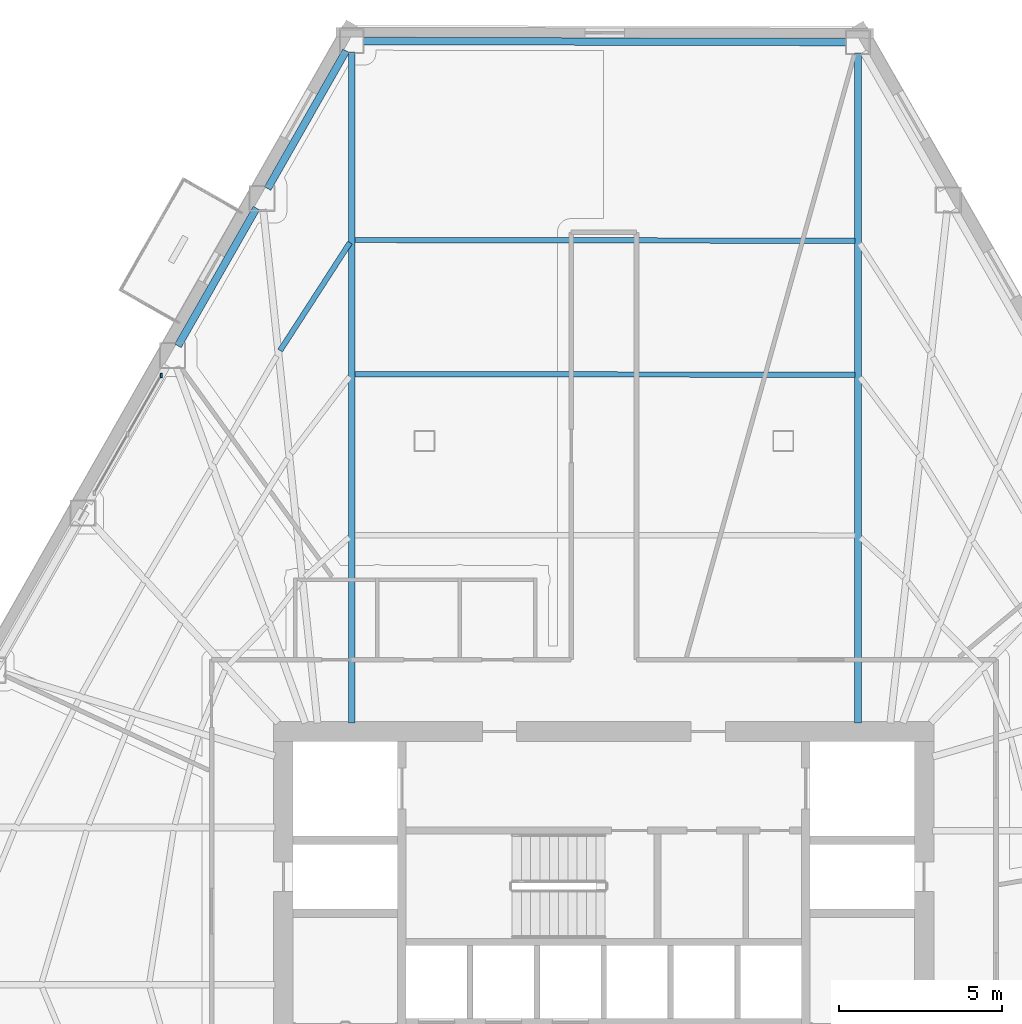
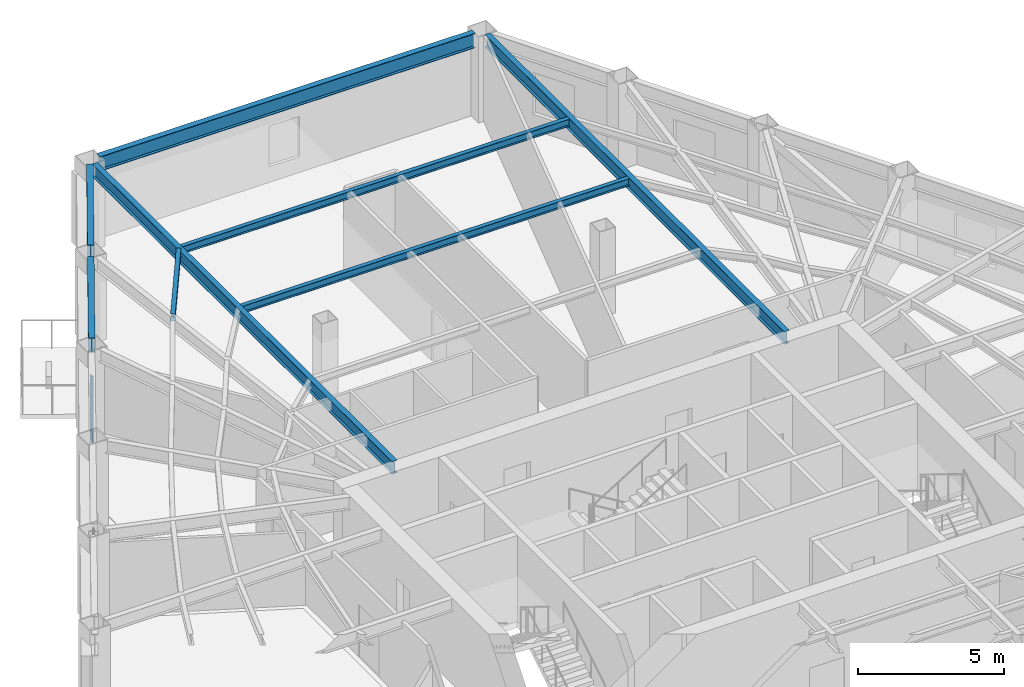
# One storey, part 4 of 14: 8 beams, 1 member, 1 element without a shape of its own.
"""IFC4 building model written with IfcOpenShell, lengths in metres."""

from ifc_helpers import new_model, si_unit, direction, frame, origin, origin_2d, place, context, subcontext, project, spatial, rectangle, i_section, extrude, material, layer, layer_set, material_profile, profile_set, type_object, element, aggregate, save


model = new_model("IFC4")

# Units and contexts
model_context = context("Model", 3, precision=1e-05, world=origin(), true_north=direction((0.0, 1.0)))
body_context = subcontext(model_context, "Body", "Model", "MODEL_VIEW")
ifc_project = project(units=[si_unit("LENGTHUNIT", "METRE"), si_unit("AREAUNIT", "SQUARE_METRE"), si_unit("VOLUMEUNIT", "CUBIC_METRE"), si_unit("PLANEANGLEUNIT", "RADIAN"), si_unit("MASSUNIT", "GRAM", prefix="KILO")], contexts=[model_context])

# Site, building, storey
site_placement = place(None, origin())
site = spatial("IfcSite", under=ifc_project, at=site_placement, CompositionType="ELEMENT")
building_placement = place(site_placement, origin())
building = spatial("IfcBuilding", under=site, at=building_placement, Name="Kavelnor Concourse Tower", CompositionType="ELEMENT")
storey_placement = place(building_placement, frame((0.0, 0.0, 32.949951171875)))
storey = spatial("IfcBuildingStorey", under=building, at=storey_placement, Name="L08", CompositionType="ELEMENT", Elevation=32.949951171875)

# Beams
ifc_material_1 = material(Name="Steel Grade 350", Category="steel")
ifc_material_profile_1 = material_profile(ifc_material_1, i_section(OverallWidth=0.166015625, OverallDepth=0.306884765625, WebThickness=0.006591796875, FlangeThickness=0.01171875, at=origin_2d()), Name="310UB46")
ifc_profile_set_1 = profile_set([ifc_material_profile_1], Name="Steel Grade 350")
beam_type_1 = type_object("IfcBeamType", Name="BM-JOIST-310", PredefinedType="JOIST", material=ifc_profile_set_1)
for number, where, z_axis, x_axis, name in (
    (1, (45.692138671875, 33.835693359375, 3.4365234375), (-0.999999323529, 0.001163160462, 0.0), (-0.001163160462, -0.999999323529, 0.0), "L08 Secondary Composite Joist 15-2"),
    (2, (45.692138671875, 37.94189453125, 3.4365234375), (-0.999998730586, 0.001593369552, 0.0), (-0.001593369552, -0.999998730586, 0.0), "L08 Secondary Composite Joist 15-3"),
):
    element("IfcBeam", number, at=place(storey_placement, frame(where, z_axis=z_axis, x_axis=x_axis)), inside=storey, type_object=beam_type_1, Name=name, PredefinedType="JOIST", context=body_context, shape_type="SweptSolid", body=[
        extrude(i_section(OverallWidth=0.166015625, OverallDepth=0.306884765625, WebThickness=0.006591796875, FlangeThickness=0.01171875, at=origin_2d()), origin(), (0.0, 0.0, 1.0), 15.322265625),
    ])
beam_1_placement = place(storey_placement, frame((30.218017578125, 37.8837890625, 3.4365234375), z_axis=(-0.543012143666, -0.839724842928, 0.0), x_axis=(0.839724842928, -0.543012143666, 0.0)))
element("IfcBeam", 3, at=beam_1_placement, inside=storey, type_object=beam_type_1, Name="L08 Secondary Composite Joist 16-3", PredefinedType="JOIST", context=body_context, shape_type="SweptSolid", body=[
    extrude(i_section(OverallWidth=0.166015625, OverallDepth=0.306884765625, WebThickness=0.006591796875, FlangeThickness=0.01171875, at=origin_2d()), origin(), (0.0, 0.0, 1.0), 3.937255859375),
])
ifc_material_profile_2 = material_profile(ifc_material_1, i_section(OverallWidth=0.208984375, OverallDepth=0.528076171875, WebThickness=0.009521484375, FlangeThickness=0.01318359375, at=origin_2d()), Name="530UB82")
ifc_profile_set_2 = profile_set([ifc_material_profile_2], Name="Steel Grade 350")
beam_type_2 = type_object("IfcBeamType", Name="BM-PRIMARY-530", PredefinedType="BEAM", material=ifc_profile_set_2)
beam_2_placement = place(storey_placement, frame((30.271484375, 23.159912109375, 3.325927734375), z_axis=(0.0, 1.0, 0.0), x_axis=(-1.0, 0.0, 0.0)))
element("IfcBeam", 4, at=beam_2_placement, inside=storey, type_object=beam_type_2, Name="L08 Primary Floor Girder F0-B0", PredefinedType="BEAM", context=body_context, shape_type="SweptSolid", body=[
    extrude(i_section(OverallWidth=0.208984375, OverallDepth=0.528076171875, WebThickness=0.009521484375, FlangeThickness=0.01318359375, at=origin_2d()), origin(), (0.0, 0.0, 1.0), 20.564697265625),
])
beam_3_placement = place(storey_placement, frame((45.79052734375, 23.159912109375, 3.325927734375), z_axis=(0.0, 1.0, 0.0), x_axis=(-1.0, 0.0, 0.0)))
element("IfcBeam", 5, at=beam_3_placement, inside=storey, type_object=beam_type_2, Name="L08 Primary Floor Girder F2-B6", PredefinedType="BEAM", context=body_context, shape_type="SweptSolid", body=[
    extrude(i_section(OverallWidth=0.208984375, OverallDepth=0.528076171875, WebThickness=0.009521484375, FlangeThickness=0.01318359375, at=origin_2d()), origin(), (0.0, 0.0, 1.0), 20.5302734375),
])
ifc_material_profile_3 = material_profile(ifc_material_1, i_section(OverallWidth=0.22900390625, OverallDepth=0.612060546875, WebThickness=0.011962890625, FlangeThickness=0.01953125, at=origin_2d()), Name="610UB125")
ifc_profile_set_3 = profile_set([ifc_material_profile_3], Name="Steel Grade 350")
beam_type_3 = type_object("IfcBeamType", Name="BM-SPANDREL-Z1", PredefinedType="SPANDREL", material=ifc_profile_set_3)
for number, where, z_axis, x_axis, name in (
    (6, (30.1005859375, 43.764892578125, 3.283935546875), (-0.494991425078, -0.868897858841, 0.0), (0.868897858841, -0.494991425078, 0.0), "L08 Perimeter Tube Spandrel Beam F0-B0"),
    (7, (27.353515625, 38.943115234375, 3.283935546875), (-0.495050966719, -0.868863936615, 0.0), (0.868863936615, -0.495050966719, 0.0), "L08 Perimeter Tube Spandrel Beam F0-B1"),
):
    element("IfcBeam", number, at=place(storey_placement, frame(where, z_axis=z_axis, x_axis=x_axis)), inside=storey, type_object=beam_type_3, Name=name, PredefinedType="SPANDREL", context=body_context, shape_type="SweptSolid", body=[
        extrude(i_section(OverallWidth=0.22900390625, OverallDepth=0.612060546875, WebThickness=0.011962890625, FlangeThickness=0.01953125, at=origin_2d()), origin(), (0.0, 0.0, 1.0), 4.859130859375),
    ])
beam_4_placement = place(storey_placement, frame((45.445556640625, 44.031005859375, 3.283935546875), z_axis=(-0.99999753006, 0.002222582591, 0.0), x_axis=(-0.002222582591, -0.99999753006, 0.0)))
element("IfcBeam", 8, at=beam_4_placement, inside=storey, type_object=beam_type_3, Name="L08 Chamfer Facet Spandrel Beam C0", PredefinedType="SPANDREL", context=body_context, shape_type="SweptSolid", body=[
    extrude(i_section(OverallWidth=0.22900390625, OverallDepth=0.612060546875, WebThickness=0.011962890625, FlangeThickness=0.01953125, at=origin_2d()), origin(), (0.0, 0.0, 1.0), 14.8291015625),
])

# Curtain wall, member
ifc_material_2 = material(Name="Anodised aluminium 6063-T6", Category="aluminium")
ifc_layer = layer(ifc_material_2, 0.139892578125, Name="Anodised aluminium 6063-T6")
ifc_layer_set = layer_set([ifc_layer], Name="Anodised aluminium 6063-T6")
curtain_wall_type = type_object("IfcCurtainWallType", Name="CW-TERRACE-PAVILION", PredefinedType="NOTDEFINED", material=ifc_layer_set)
curtain_wall_placement = place(storey_placement, origin())
curtain_wall = element("IfcCurtainWall", 9, at=curtain_wall_placement, inside=storey, type_object=curtain_wall_type, Name="L08 Terrace Pavilion Curtain Wall", PredefinedType="NOTDEFINED")
ifc_material_profile_4 = material_profile(ifc_material_2, rectangle(XDim=0.054931640625, YDim=0.139892578125, at=origin_2d()), Name="AL-MULL 55x140")
ifc_profile_set_4 = profile_set([ifc_material_profile_4], Name="Anodised aluminium 6063-T6")
member_type = type_object("IfcMemberType", Name="CW-TERRACE-PAVILION-MULL", PredefinedType="MULLION", material=ifc_profile_set_4)
member_placement = place(storey_placement, frame((24.430908203125, 33.813232421875, 0.0), z_axis=(0.0, 0.0, 1.0), x_axis=(1.0, 0.0, 0.0)))
member = element("IfcMember", 10, at=member_placement, type_object=member_type, Name="L08 Terrace Pavilion Curtain Wall Mullion 0", PredefinedType="MULLION", context=body_context, shape_type="SweptSolid", body=[
    extrude(rectangle(XDim=0.054931640625, YDim=0.139892578125, at=origin_2d()), origin(), (0.0, 0.0, 1.0), 2.75),
])
aggregate(curtain_wall, [member])

save(model, "model.ifc")
